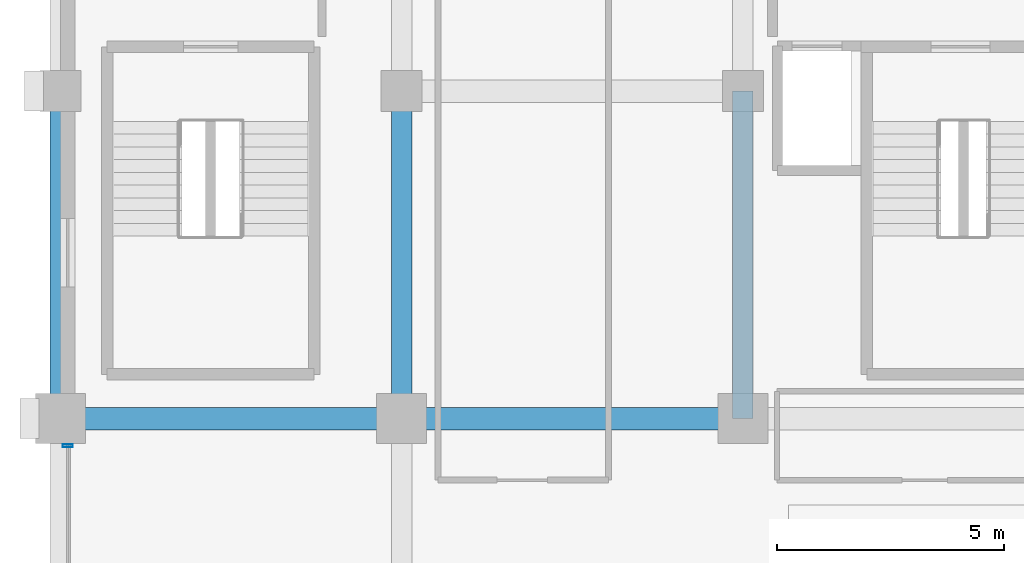
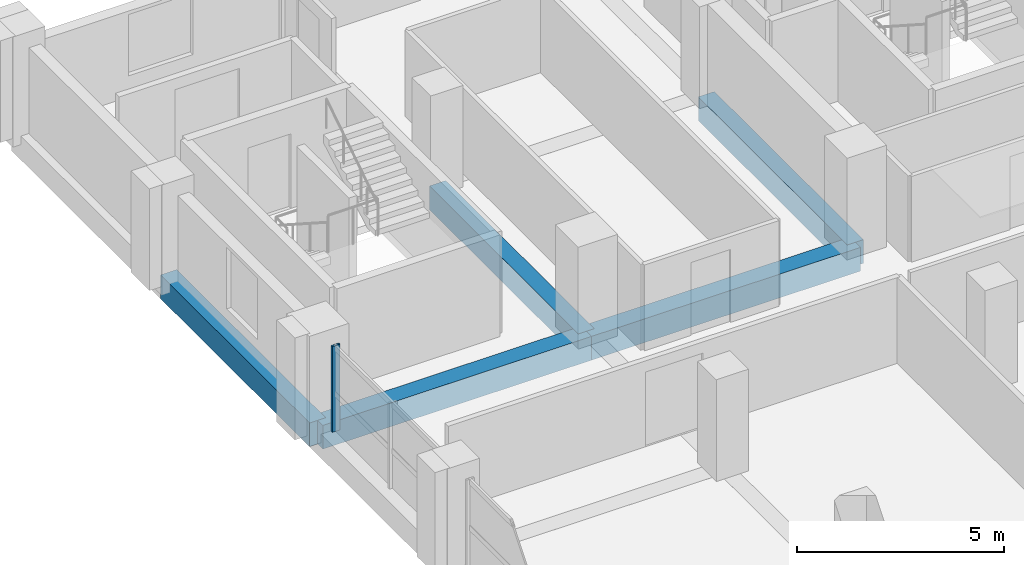
# One storey, part 8 of 21: 5 beams, 1 member, 1 element without a shape of its own.
"""IFC4 building model written with IfcOpenShell, lengths in metres."""

from ifc_helpers import new_model, si_unit, direction, frame, origin, origin_2d, place, context, subcontext, project, spatial, rectangle, hollow_rectangle, extrude, material, material_profile, profile_set, type_object, element, aggregate, save


model = new_model("IFC4")

# Units and contexts
model_context = context("Model", 3, precision=1e-05, world=origin(), true_north=direction((0.0, 1.0)))
body_context = subcontext(model_context, "Body", "Model", "MODEL_VIEW")
ifc_project = project(units=[si_unit("LENGTHUNIT", "METRE"), si_unit("AREAUNIT", "SQUARE_METRE"), si_unit("VOLUMEUNIT", "CUBIC_METRE"), si_unit("PLANEANGLEUNIT", "RADIAN"), si_unit("MASSUNIT", "GRAM", prefix="KILO")], contexts=[model_context])

# Site, building, storey
site_placement = place(None, origin())
site = spatial("IfcSite", under=ifc_project, at=site_placement, CompositionType="ELEMENT")
building_placement = place(site_placement, origin())
building = spatial("IfcBuilding", under=site, at=building_placement, Name="Akrevak Sports Hall", CompositionType="ELEMENT")
storey_placement = place(building_placement, frame((0.0, 0.0, 34.050048828125)))
storey = spatial("IfcBuildingStorey", under=building, at=storey_placement, Name="L07", CompositionType="ELEMENT", Elevation=34.050048828125)

# Curtain wall, member
ifc_material_1 = material(Name="Anodized Bronze Aluminium & Low-E Glass", Category="aluminium")
curtain_wall_type = type_object("IfcCurtainWallType", Name="ARC-CW-TWR-56x30", PredefinedType="NOTDEFINED", material=ifc_material_1)
curtain_wall_placement = place(storey_placement, origin())
curtain_wall = element("IfcCurtainWall", 1, at=curtain_wall_placement, inside=storey, type_object=curtain_wall_type, Name="Curtain Wall CW-L07-W30", PredefinedType="NOTDEFINED")
ifc_material_2 = material(Name="Anodized Bronze Aluminium", Category="aluminium")
ifc_material_profile_1 = material_profile(ifc_material_2, hollow_rectangle(XDim=0.06494140625, YDim=0.219970703125, WallThickness=0.00439453125, at=origin_2d()), Name="CWM 65x220", Category="aluminium")
ifc_profile_set_1 = profile_set([ifc_material_profile_1], Name="Anodized Bronze Aluminium")
member_type = type_object("IfcMemberType", Name="ARC-CWM-70x160", PredefinedType="MULLION", material=ifc_profile_set_1)
member_placement = place(storey_placement, frame((45.159912109375, 54.610107421875, 0.0), z_axis=(0.0, 0.0, 1.0), x_axis=(0.0, -1.0, 0.0)))
member = element("IfcMember", 2, at=member_placement, type_object=member_type, Name="Curtain Wall Mullion CW-L07-W30-M1", PredefinedType="MULLION", context=body_context, shape_type="SweptSolid", body=[
    extrude(hollow_rectangle(XDim=0.06494140625, YDim=0.219970703125, WallThickness=0.00439453125, at=origin_2d()), origin(), (0.0, 0.0, 1.0), 2.530029296875),
])
aggregate(curtain_wall, [member])

# Beams
ifc_material_3 = material(Name="Concrete C40/50", Category="concrete")
ifc_material_profile_2 = material_profile(ifc_material_3, rectangle(XDim=0.449951171875, YDim=0.699951171875, at=origin_2d()), Name="BM 450x700", Category="concrete")
ifc_profile_set_2 = profile_set([ifc_material_profile_2], Name="Concrete C40/50")
beam_type_1 = type_object("IfcBeamType", Name="STR-BM-RC450x700", PredefinedType="BEAM", material=ifc_profile_set_2)
for number, where, z_axis, x_axis, name in (
    (3, (45.0, 55.199951171875, -0.35009765625), (0.0, 1.0, 0.0), (-1.0, 0.0, 0.0), "Girder 7/I-J (L07)"),
    (4, (52.5, 55.199951171875, -0.35009765625), (0.0, 1.0, 0.0), (-1.0, 0.0, 0.0), "Girder 8/I-J (L07)"),
    (5, (60.0, 55.199951171875, -0.35009765625), (0.0, 1.0, 0.0), (-1.0, 0.0, 0.0), "Girder 9/I-J (L07)"),
):
    element("IfcBeam", number, at=place(storey_placement, frame(where, z_axis=z_axis, x_axis=x_axis)), inside=storey, type_object=beam_type_1, Name=name, PredefinedType="BEAM", context=body_context, shape_type="SweptSolid", body=[
        extrude(rectangle(XDim=0.449951171875, YDim=0.699951171875, at=origin_2d()), origin(), (0.0, 0.0, 1.0), 7.199951171875),
    ])
ifc_material_profile_3 = material_profile(ifc_material_3, rectangle(XDim=0.5, YDim=0.699951171875, at=origin_2d()), Name="BM 500x700", Category="concrete")
ifc_profile_set_3 = profile_set([ifc_material_profile_3], Name="Concrete C40/50")
beam_type_2 = type_object("IfcBeamType", Name="STR-BM-RC500x700", PredefinedType="BEAM", material=ifc_profile_set_3)
for number, where, z_axis, x_axis, name in (
    (6, (45.0, 55.199951171875, -0.35009765625), (1.0, 0.0, 0.0), (0.0, 1.0, 0.0), "Girder I/7-8 (L07)"),
    (7, (52.5, 55.199951171875, -0.35009765625), (1.0, 0.0, 0.0), (0.0, 1.0, 0.0), "Girder I/8-9 (L07)"),
):
    element("IfcBeam", number, at=place(storey_placement, frame(where, z_axis=z_axis, x_axis=x_axis)), inside=storey, type_object=beam_type_2, Name=name, PredefinedType="BEAM", context=body_context, shape_type="SweptSolid", body=[
        extrude(rectangle(XDim=0.5, YDim=0.699951171875, at=origin_2d()), origin(), (0.0, 0.0, 1.0), 7.5),
    ])

save(model, "model.ifc")
